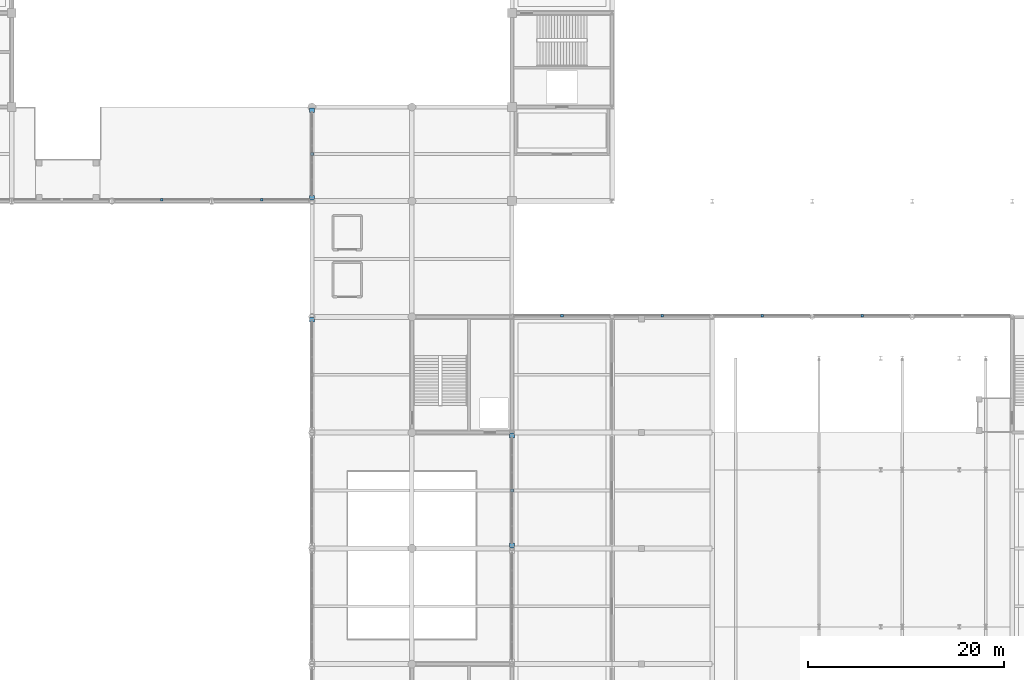
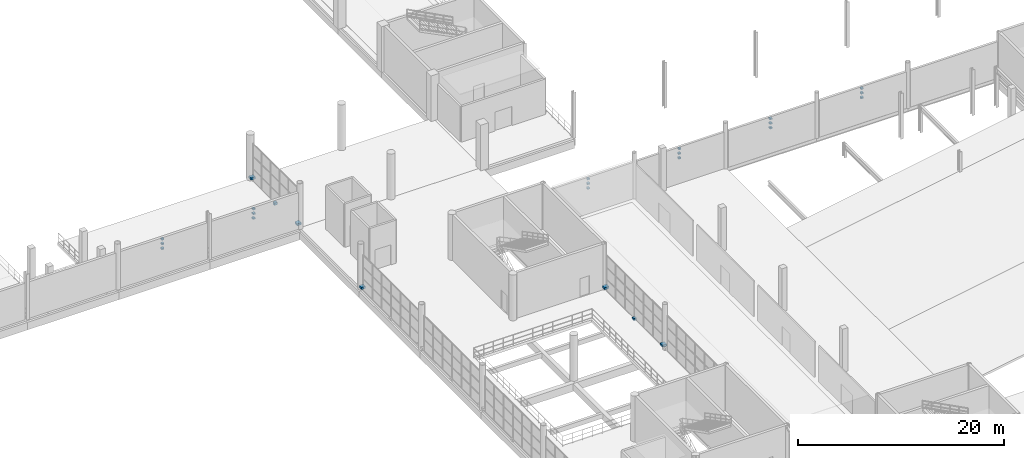
# One storey, part 148 of 175: 25 discrete accessories.
"""IFC4 building model written with IfcOpenShell, lengths in metres."""

from ifc_helpers import new_model, si_unit, direction, frame, origin, origin_2d, place, context, subcontext, project, spatial, rectangle, extrude, material, type_object, element, save


model = new_model("IFC4")

# Units and contexts
model_context = context("Model", 3, precision=1e-05, world=origin(), true_north=direction((0.0, 1.0)))
body_context = subcontext(model_context, "Body", "Model", "MODEL_VIEW")
ifc_project = project(units=[si_unit("LENGTHUNIT", "METRE"), si_unit("AREAUNIT", "SQUARE_METRE"), si_unit("VOLUMEUNIT", "CUBIC_METRE"), si_unit("PLANEANGLEUNIT", "RADIAN"), si_unit("MASSUNIT", "GRAM", prefix="KILO")], contexts=[model_context])

# Site, building, storey
site_placement = place(None, origin())
site = spatial("IfcSite", under=ifc_project, at=site_placement, CompositionType="ELEMENT")
building_placement = place(site_placement, origin())
building = spatial("IfcBuilding", under=site, at=building_placement, Name="Brelvane Convention Centre", CompositionType="ELEMENT")
storey_placement = place(building_placement, frame((0.0, 0.0, 5.39990234375)))
storey = spatial("IfcBuildingStorey", under=building, at=storey_placement, Name="L01", CompositionType="ELEMENT", Elevation=5.39990234375)

# Discrete accessories
ifc_material_1 = material(Name="Steel E350 (350 MPa)", Category="steel")
discrete_accessory_type_1 = type_object("IfcDiscreteAccessoryType", Name="Facade Outrigger Bracket BRK-01", PredefinedType="BRACKET", material=ifc_material_1)
for number, where, z_axis, x_axis, name in (
    (1, (127.5, 99.7451171875, 3.8701171875), (0.0, 0.0, 1.0), (1.0, 0.0, 0.0), "Copper Band Support Bracket L01-V1N-L01-13-1"),
    (2, (127.5, 99.7451171875, 3.3203125), (0.0, 0.0, 1.0), (1.0, 0.0, 0.0), "Copper Band Support Bracket L01-V1N-L01-13-2"),
    (3, (127.5, 99.7451171875, 2.77001953125), (0.0, 0.0, 1.0), (1.0, 0.0, 0.0), "Copper Band Support Bracket L01-V1N-L01-13-3"),
    (4, (137.699951171875, 99.7451171875, 3.8701171875), (0.0, 0.0, 1.0), (1.0, 0.0, 0.0), "Copper Band Support Bracket L01-V1N-L01-14-1"),
    (5, (137.699951171875, 99.7451171875, 3.3203125), (0.0, 0.0, 1.0), (1.0, 0.0, 0.0), "Copper Band Support Bracket L01-V1N-L01-14-2"),
    (6, (137.699951171875, 99.7451171875, 2.77001953125), (0.0, 0.0, 1.0), (1.0, 0.0, 0.0), "Copper Band Support Bracket L01-V1N-L01-14-3"),
    (7, (168.300048828125, 87.925048828125, 3.8701171875), (0.0, 0.0, 1.0), (1.0, 0.0, 0.0), "Copper Band Support Bracket L01-V2N-L01-1-1"),
    (8, (168.300048828125, 87.925048828125, 3.3203125), (0.0, 0.0, 1.0), (1.0, 0.0, 0.0), "Copper Band Support Bracket L01-V2N-L01-1-2"),
    (9, (168.300048828125, 87.925048828125, 2.77001953125), (0.0, 0.0, 1.0), (1.0, 0.0, 0.0), "Copper Band Support Bracket L01-V2N-L01-1-3"),
    (10, (178.5, 87.925048828125, 3.8701171875), (0.0, 0.0, 1.0), (1.0, 0.0, 0.0), "Copper Band Support Bracket L01-V2N-L01-2-1"),
    (11, (178.5, 87.925048828125, 3.3203125), (0.0, 0.0, 1.0), (1.0, 0.0, 0.0), "Copper Band Support Bracket L01-V2N-L01-2-2"),
    (12, (178.5, 87.925048828125, 2.77001953125), (0.0, 0.0, 1.0), (1.0, 0.0, 0.0), "Copper Band Support Bracket L01-V2N-L01-2-3"),
    (13, (188.699951171875, 87.925048828125, 3.8701171875), (0.0, 0.0, 1.0), (1.0, 0.0, 0.0), "Copper Band Support Bracket L01-V2N-L01-3-1"),
    (14, (188.699951171875, 87.925048828125, 3.3203125), (0.0, 0.0, 1.0), (1.0, 0.0, 0.0), "Copper Band Support Bracket L01-V2N-L01-3-2"),
    (15, (188.699951171875, 87.925048828125, 2.77001953125), (0.0, 0.0, 1.0), (1.0, 0.0, 0.0), "Copper Band Support Bracket L01-V2N-L01-3-3"),
    (16, (198.89990234375, 87.925048828125, 3.8701171875), (0.0, 0.0, 1.0), (1.0, 0.0, 0.0), "Copper Band Support Bracket L01-V2N-L01-4-1"),
    (17, (198.89990234375, 87.925048828125, 3.3203125), (0.0, 0.0, 1.0), (1.0, 0.0, 0.0), "Copper Band Support Bracket L01-V2N-L01-4-2"),
    (18, (198.89990234375, 87.925048828125, 2.77001953125), (0.0, 0.0, 1.0), (1.0, 0.0, 0.0), "Copper Band Support Bracket L01-V2N-L01-4-3"),
):
    element("IfcDiscreteAccessory", number, at=place(storey_placement, frame(where, z_axis=z_axis, x_axis=x_axis)), inside=storey, type_object=discrete_accessory_type_1, Name=name, PredefinedType="BRACKET", context=body_context, shape_type="SweptSolid", body=[
        extrude(rectangle(XDim=0.260009765625, YDim=0.260009765625, at=origin_2d()), origin(), (0.0, 0.0, 1.0), 0.179931640625),
    ])
ifc_material_2 = material(Name="Steel E350 (350 MPa)", Category="steel")
discrete_accessory_type_2 = type_object("IfcDiscreteAccessoryType", Name="Facade Outrigger Bracket BRK-02", PredefinedType="BRACKET", material=ifc_material_2)
for number, where, z_axis, x_axis, name in (
    (19, (142.800048828125, 99.93994140625, 0.22998046875), (0.0, 0.0, 1.0), (1.0, 0.0, 0.0), "Curtain Wall Anchor Bracket L01-COURT-E-CW-L01-L"),
    (20, (142.800048828125, 108.860107421875, 0.22998046875), (0.0, 0.0, 1.0), (1.0, 0.0, 0.0), "Curtain Wall Anchor Bracket L01-COURT-E-CW-L01-R"),
):
    element("IfcDiscreteAccessory", number, at=place(storey_placement, frame(where, z_axis=z_axis, x_axis=x_axis)), inside=storey, type_object=discrete_accessory_type_2, Name=name, PredefinedType="BRACKET", context=body_context, shape_type="SweptSolid", body=[
        extrude(rectangle(XDim=0.47998046875, YDim=0.47998046875, at=origin_2d()), origin(), (0.0, 0.0, 1.0), 0.239990234375),
    ])
discrete_accessory_1_placement = place(storey_placement, frame((142.800048828125, 104.39990234375, -0.14013671875), z_axis=(0.0, 0.0, 1.0), x_axis=(1.0, 0.0, 0.0)))
element("IfcDiscreteAccessory", 21, at=discrete_accessory_1_placement, inside=storey, type_object=discrete_accessory_type_2, Name="Curtain Wall Anchor Bracket L01-COURT-E-CW-L01-B", PredefinedType="BRACKET", context=body_context, shape_type="SweptSolid", body=[
    extrude(rectangle(XDim=0.320068359375, YDim=0.320068359375, at=origin_2d()), origin(), (0.0, 0.0, 1.0), 0.280029296875),
])
for number, where, z_axis, x_axis, name in (
    (22, (163.199951171875, 64.489990234375, 0.22998046875), (0.0, 0.0, 1.0), (1.0, 0.0, 0.0), "Curtain Wall Anchor Bracket L01-GAL-ATRIUM-E-3-L"),
    (23, (163.199951171875, 75.7099609375, 0.22998046875), (0.0, 0.0, 1.0), (1.0, 0.0, 0.0), "Curtain Wall Anchor Bracket L01-GAL-ATRIUM-E-3-R"),
):
    element("IfcDiscreteAccessory", number, at=place(storey_placement, frame(where, z_axis=z_axis, x_axis=x_axis)), inside=storey, type_object=discrete_accessory_type_2, Name=name, PredefinedType="BRACKET", context=body_context, shape_type="SweptSolid", body=[
        extrude(rectangle(XDim=0.47998046875, YDim=0.47998046875, at=origin_2d()), origin(), (0.0, 0.0, 1.0), 0.239990234375),
    ])
discrete_accessory_2_placement = place(storey_placement, frame((163.199951171875, 70.10009765625, -0.14013671875), z_axis=(0.0, 0.0, 1.0), x_axis=(1.0, 0.0, 0.0)))
element("IfcDiscreteAccessory", 24, at=discrete_accessory_2_placement, inside=storey, type_object=discrete_accessory_type_2, Name="Curtain Wall Anchor Bracket L01-GAL-ATRIUM-E-3-B", PredefinedType="BRACKET", context=body_context, shape_type="SweptSolid", body=[
    extrude(rectangle(XDim=0.320068359375, YDim=0.320068359375, at=origin_2d()), origin(), (0.0, 0.0, 1.0), 0.280029296875),
])
discrete_accessory_3_placement = place(storey_placement, frame((142.800048828125, 87.510009765625, 0.22998046875), z_axis=(0.0, 0.0, 1.0), x_axis=(1.0, 0.0, 0.0)))
element("IfcDiscreteAccessory", 25, at=discrete_accessory_3_placement, inside=storey, type_object=discrete_accessory_type_2, Name="Curtain Wall Anchor Bracket L01-GAL-ATRIUM-W-4-R", PredefinedType="BRACKET", context=body_context, shape_type="SweptSolid", body=[
    extrude(rectangle(XDim=0.47998046875, YDim=0.47998046875, at=origin_2d()), origin(), (0.0, 0.0, 1.0), 0.239990234375),
])

save(model, "model.ifc")
